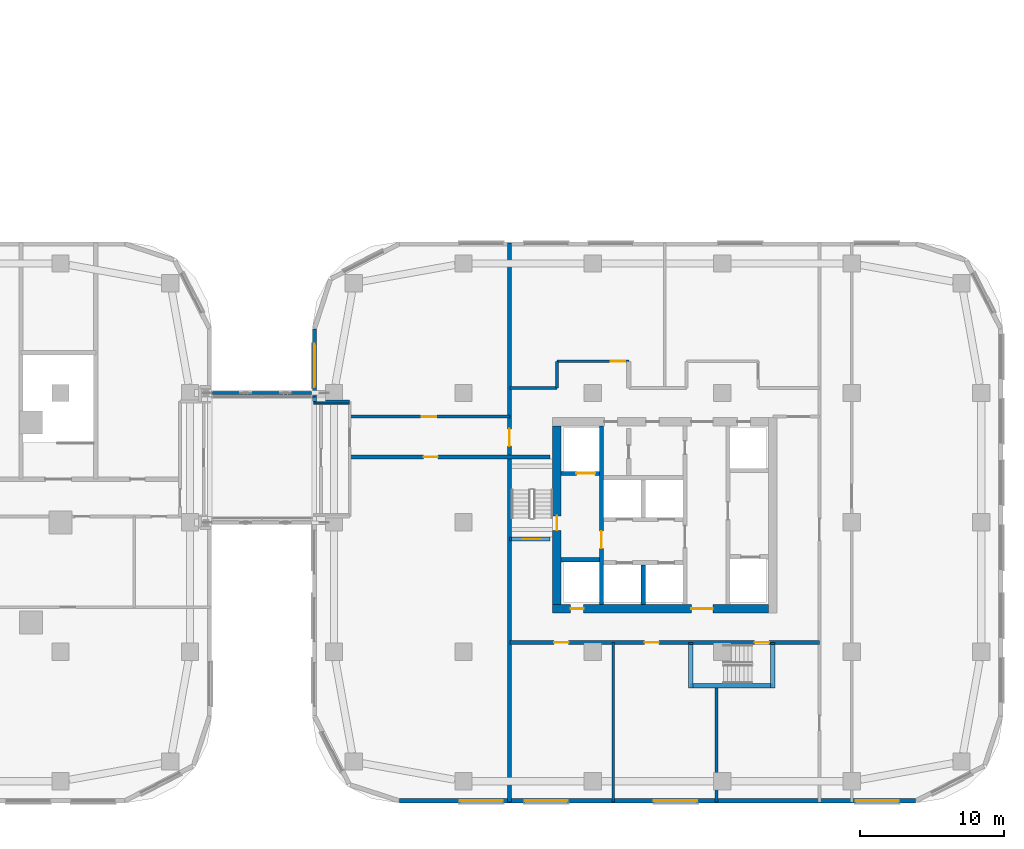
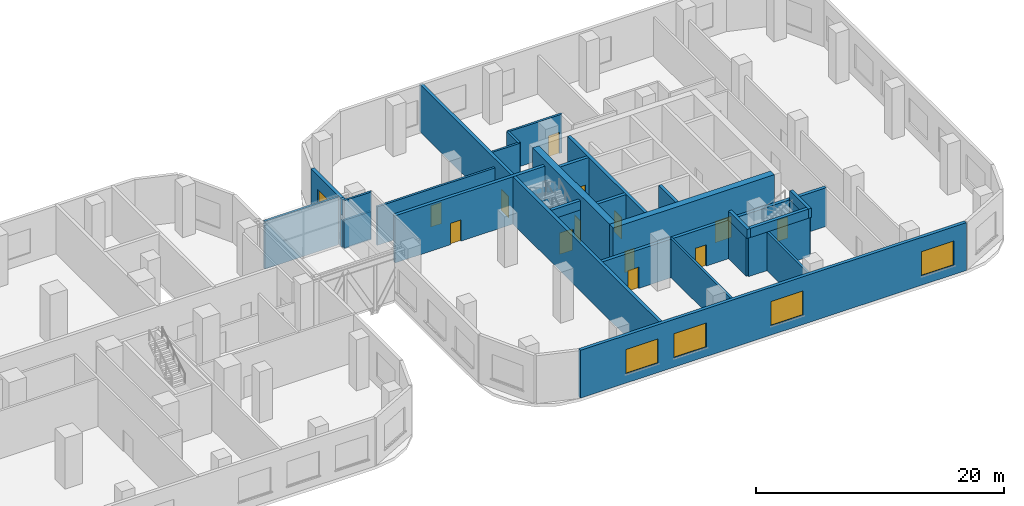
# One storey, part 12 of 33: 30 walls, 13 doors, 5 windows, 18 openings.
"""IFC4 building model written with IfcOpenShell, lengths in metres."""

from ifc_helpers import new_model, si_unit, direction, frame, frame_2d, origin, place, context, subcontext, project, spatial, rectangle, extrude, material, layer, layer_set, type_object, element, fill, save


model = new_model("IFC4")

# Units and contexts
model_context = context("Model", 3, precision=1e-05, world=origin(), true_north=direction((0.0, 1.0)))
body_context = subcontext(model_context, "Body", "Model", "MODEL_VIEW")
ifc_project = project(units=[si_unit("LENGTHUNIT", "METRE"), si_unit("AREAUNIT", "SQUARE_METRE"), si_unit("VOLUMEUNIT", "CUBIC_METRE"), si_unit("PLANEANGLEUNIT", "RADIAN"), si_unit("MASSUNIT", "GRAM", prefix="KILO")], contexts=[model_context])

# Site, building, storey
site_placement = place(None, origin())
site = spatial("IfcSite", under=ifc_project, at=site_placement, CompositionType="ELEMENT")
building_placement = place(site_placement, origin())
building = spatial("IfcBuilding", under=site, at=building_placement, Name="Ogive Portal Towers", CompositionType="ELEMENT")
storey_placement = place(building_placement, frame((0.0, 0.0, 28.5)))
storey = spatial("IfcBuildingStorey", under=building, at=storey_placement, Name="L05", CompositionType="ELEMENT", Elevation=28.5)

# Wall, opening, door
ifc_material_1 = material(Name="Concrete C60/75", Category="concrete")
ifc_layer_1 = layer(ifc_material_1, 0.300048828125)
ifc_layer_set_1 = layer_set([ifc_layer_1], Name="CORE WALL 300 C60")
wall_type_1 = type_object("IfcWallType", Name="CORE WALL 300 C60", PredefinedType="SHEAR", material=ifc_layer_set_1)
wall_1_placement = place(storey_placement, frame((132.10009765625, 24.800048828125, 0.0), z_axis=(0.0, 0.0, 1.0), x_axis=(0.0, 1.0, 0.0)))
wall_1 = element("IfcWall", 1, at=wall_1_placement, inside=storey, type_object=wall_type_1, Name="Tower B core wall BX1 L05", PredefinedType="SHEAR", context=body_context, shape_type="SweptSolid", body=[
    extrude(rectangle(XDim=12.39990234375, YDim=0.300048828125, at=frame_2d((6.199951171875, 0.0))), origin(), (0.0, 0.0, 1.0), 5.0),
])
opening_1_placement = place(wall_1_placement, frame((3.89990234375, 0.0, 0.0)))
opening_1 = element("IfcOpeningElement", 2, at=opening_1_placement, cuts=wall_1, Name="Opening P05-050", PredefinedType="OPENING", context=body_context, shape_type="SweptSolid", body=[
    extrude(rectangle(XDim=1.199951171875, YDim=2.10009765625, at=frame_2d((0.60009765625, 1.050048828125))), frame((0.0, 0.16015625, 0.0), z_axis=(0.0, -1.0, 0.0), x_axis=(1.0, 0.0, 0.0)), (0.0, 0.0, 1.0), 0.320068359375),
])
ifc_material_2 = material(Name="Steel fire door", Category="steel")
door_type_1 = type_object("IfcDoorType", Name="DT-SWING-1200x2100-FD90S", OperationType="SINGLE_SWING_LEFT", PredefinedType="DOOR", material=ifc_material_2)
door_1_placement = place(opening_1_placement, origin())
door_1 = element("IfcDoor", 3, at=door_1_placement, inside=storey, type_object=door_type_1, Name="Door P05-050", OperationType="SINGLE_SWING_LEFT", OverallHeight=2.10009765625, OverallWidth=1.199951171875, PredefinedType="DOOR", context=body_context, shape_type="SweptSolid", body=[
    extrude(rectangle(XDim=1.199951171875, YDim=2.10009765625, at=frame_2d((0.60009765625, 1.050048828125))), frame((0.0, 0.02490234375, 0.0), z_axis=(0.0, -1.0, 0.0), x_axis=(1.0, 0.0, 0.0)), (0.0, 0.0, 1.0), 0.050048828125),
])
fill(opening_1, door_1)

# Walls
wall_2_placement = place(storey_placement, frame((135.0, 24.800048828125, 0.0), z_axis=(0.0, 0.0, 1.0), x_axis=(0.0, 1.0, 0.0)))
element("IfcWall", 4, at=wall_2_placement, inside=storey, type_object=wall_type_1, Name="Tower B core wall BX4 L05", PredefinedType="SHEAR", context=body_context, shape_type="SweptSolid", body=[
    extrude(rectangle(XDim=2.75, YDim=0.300048828125, at=frame_2d((1.375, 0.0))), origin(), (0.0, 0.0, 1.0), 5.0),
])
wall_3_placement = place(storey_placement, frame((129.300048828125, 27.89990234375, 0.0), z_axis=(0.0, 0.0, 1.0), x_axis=(1.0, 0.0, 0.0)))
element("IfcWall", 5, at=wall_3_placement, inside=storey, type_object=wall_type_1, Name="Tower B core wall BY4 L05", PredefinedType="SHEAR", context=body_context, shape_type="SweptSolid", body=[
    extrude(rectangle(XDim=2.64990234375, YDim=0.300048828125, at=frame_2d((1.324951171875, 0.0))), origin(), (0.0, 0.0, 1.0), 5.0),
])

# Wall, opening, door
wall_4_placement = place(storey_placement, frame((129.300048828125, 33.89990234375, 0.0), z_axis=(0.0, 0.0, 1.0), x_axis=(1.0, 0.0, 0.0)))
wall_4 = element("IfcWall", 6, at=wall_4_placement, inside=storey, type_object=wall_type_1, Name="Tower B core wall BY5 L05", PredefinedType="SHEAR", context=body_context, shape_type="SweptSolid", body=[
    extrude(rectangle(XDim=2.64990234375, YDim=0.300048828125, at=frame_2d((1.324951171875, 0.0))), origin(), (0.0, 0.0, 1.0), 5.0),
])
opening_2_placement = place(wall_4_placement, frame((1.050048828125, 0.0, 0.0)))
opening_2 = element("IfcOpeningElement", 7, at=opening_2_placement, cuts=wall_4, Name="Opening P05-061", PredefinedType="OPENING", context=body_context, shape_type="SweptSolid", body=[
    extrude(rectangle(XDim=1.300048828125, YDim=2.39990234375, at=frame_2d((0.64990234375, 1.199951171875))), frame((0.0, 0.16015625, 0.0), z_axis=(0.0, -1.0, 0.0), x_axis=(1.0, 0.0, 0.0)), (0.0, 0.0, 1.0), 0.320068359375),
])
ifc_material_3 = material(Name="Stainless steel", Category="steel")
door_type_2 = type_object("IfcDoorType", Name="DT-LD-1300x2400", OperationType="SLIDING_TO_LEFT", PredefinedType="DOOR", material=ifc_material_3)
door_2_placement = place(opening_2_placement, origin())
door_2 = element("IfcDoor", 8, at=door_2_placement, inside=storey, type_object=door_type_2, Name="Door P05-061", OperationType="SLIDING_TO_LEFT", OverallHeight=2.39990234375, OverallWidth=1.300048828125, PredefinedType="DOOR", context=body_context, shape_type="SweptSolid", body=[
    extrude(rectangle(XDim=1.300048828125, YDim=2.39990234375, at=frame_2d((0.64990234375, 1.199951171875))), frame((0.0, 0.02490234375, 0.0), z_axis=(0.0, -1.0, 0.0), x_axis=(1.0, 0.0, 0.0)), (0.0, 0.0, 1.0), 0.050048828125),
])
fill(opening_2, door_2)

ifc_layer_2 = layer(ifc_material_1, 0.60009765625)
ifc_layer_set_2 = layer_set([ifc_layer_2], Name="CORE WALL 600 C60")
wall_type_2 = type_object("IfcWallType", Name="CORE WALL 600 C60", PredefinedType="SHEAR", material=ifc_layer_set_2)
wall_5_placement = place(storey_placement, frame((129.0, 24.800048828125, 0.0), z_axis=(0.0, 0.0, 1.0), x_axis=(0.0, 1.0, 0.0)))
wall_5 = element("IfcWall", 9, at=wall_5_placement, inside=storey, type_object=wall_type_2, Name="Tower B core wall BW L05", PredefinedType="SHEAR", context=body_context, shape_type="SweptSolid", body=[
    extrude(rectangle(XDim=12.39990234375, YDim=0.60009765625, at=frame_2d((6.199951171875, 0.0))), origin(), (0.0, 0.0, 1.0), 5.0),
])
opening_3_placement = place(wall_5_placement, frame((5.14990234375, 0.0, 0.0)))
opening_3 = element("IfcOpeningElement", 10, at=opening_3_placement, cuts=wall_5, Name="Opening P05-052", PredefinedType="OPENING", context=body_context, shape_type="SweptSolid", body=[
    extrude(rectangle(XDim=1.0, YDim=2.10009765625, at=frame_2d((0.5, 1.050048828125))), frame((0.0, 0.31005859375, 0.0), z_axis=(0.0, -1.0, 0.0), x_axis=(1.0, 0.0, 0.0)), (0.0, 0.0, 1.0), 0.6201171875),
])
door_type_3 = type_object("IfcDoorType", Name="DT-SWING-1000x2100-FD90S", OperationType="SINGLE_SWING_LEFT", PredefinedType="DOOR", material=ifc_material_2)
door_3_placement = place(opening_3_placement, origin())
door_3 = element("IfcDoor", 11, at=door_3_placement, inside=storey, type_object=door_type_3, Name="Door P05-052", OperationType="SINGLE_SWING_RIGHT", OverallHeight=2.10009765625, OverallWidth=1.0, PredefinedType="DOOR", context=body_context, shape_type="SweptSolid", body=[
    extrude(rectangle(XDim=1.0, YDim=2.10009765625, at=frame_2d((0.5, 1.050048828125))), frame((0.0, 0.02490234375, 0.0), z_axis=(0.0, -1.0, 0.0), x_axis=(1.0, 0.0, 0.0)), (0.0, 0.0, 1.0), 0.050048828125),
])
fill(opening_3, door_3)

# Wall, openings, doors
wall_6_placement = place(storey_placement, frame((128.699951171875, 24.5, 0.0), z_axis=(0.0, 0.0, 1.0), x_axis=(1.0, 0.0, 0.0)))
wall_6 = element("IfcWall", 12, at=wall_6_placement, inside=storey, type_object=wall_type_2, Name="Tower B core wall BS L05", PredefinedType="SHEAR", context=body_context, shape_type="SweptSolid", body=[
    extrude(rectangle(XDim=15.0, YDim=0.60009765625, at=frame_2d((7.5, 0.0))), origin(), (0.0, 0.0, 1.0), 5.0),
])
opening_4_placement = place(wall_6_placement, frame((9.64990234375, 0.0, 0.0)))
opening_4 = element("IfcOpeningElement", 13, at=opening_4_placement, cuts=wall_6, Name="Opening P05-053", PredefinedType="OPENING", context=body_context, shape_type="SweptSolid", body=[
    extrude(rectangle(XDim=1.5, YDim=2.10009765625, at=frame_2d((0.75, 1.050048828125))), frame((0.0, 0.31005859375, 0.0), z_axis=(0.0, -1.0, 0.0), x_axis=(1.0, 0.0, 0.0)), (0.0, 0.0, 1.0), 0.6201171875),
])
opening_5_placement = place(wall_6_placement, frame((1.25, 0.0, 0.0)))
opening_5 = element("IfcOpeningElement", 14, at=opening_5_placement, cuts=wall_6, Name="Opening P05-055", PredefinedType="OPENING", context=body_context, shape_type="SweptSolid", body=[
    extrude(rectangle(XDim=0.89990234375, YDim=2.10009765625, at=frame_2d((0.449951171875, 1.050048828125))), frame((0.0, 0.31005859375, 0.0), z_axis=(0.0, -1.0, 0.0), x_axis=(1.0, 0.0, 0.0)), (0.0, 0.0, 1.0), 0.6201171875),
])
door_type_4 = type_object("IfcDoorType", Name="DT-SWING-1500x2100-FD90S", OperationType="SINGLE_SWING_LEFT", PredefinedType="DOOR", material=ifc_material_2)
door_4_placement = place(opening_4_placement, origin())
door_4 = element("IfcDoor", 15, at=door_4_placement, inside=storey, type_object=door_type_4, Name="Door P05-053", OperationType="SINGLE_SWING_LEFT", OverallHeight=2.10009765625, OverallWidth=1.5, PredefinedType="DOOR", context=body_context, shape_type="SweptSolid", body=[
    extrude(rectangle(XDim=1.5, YDim=2.10009765625, at=frame_2d((0.75, 1.050048828125))), frame((0.0, 0.02490234375, 0.0), z_axis=(0.0, -1.0, 0.0), x_axis=(1.0, 0.0, 0.0)), (0.0, 0.0, 1.0), 0.050048828125),
])
fill(opening_4, door_4)
door_type_5 = type_object("IfcDoorType", Name="DT-SWING-900x2100-FD90S", OperationType="SINGLE_SWING_LEFT", PredefinedType="DOOR", material=ifc_material_2)
door_5_placement = place(opening_5_placement, origin())
door_5 = element("IfcDoor", 16, at=door_5_placement, inside=storey, type_object=door_type_5, Name="Riser access door P05-055", OperationType="SINGLE_SWING_LEFT", OverallHeight=2.10009765625, OverallWidth=0.89990234375, PredefinedType="DOOR", context=body_context, shape_type="SweptSolid", body=[
    extrude(rectangle(XDim=0.89990234375, YDim=2.10009765625, at=frame_2d((0.449951171875, 1.050048828125))), frame((0.0, 0.02490234375, 0.0), z_axis=(0.0, -1.0, 0.0), x_axis=(1.0, 0.0, 0.0)), (0.0, 0.0, 1.0), 0.050048828125),
])
fill(opening_5, door_5)

# Wall, openings, windows
ifc_material_4 = material(Name="Limestone cladding on lightweight block wall", Category="masonry")
ifc_layer_3 = layer(ifc_material_4, 0.300048828125)
ifc_layer_set_3 = layer_set([ifc_layer_3], Name="EXTERNAL WALL 300 STONE")
wall_type_3 = type_object("IfcWallType", Name="EXTERNAL WALL 300 STONE", PredefinedType="SOLIDWALL", material=ifc_layer_set_3)
wall_7_placement = place(storey_placement, frame((118.047607421875, 11.14990234375, 0.0), z_axis=(0.0, 0.0, 1.0), x_axis=(1.0, 0.0, 0.0)))
wall_7 = element("IfcWall", 17, at=wall_7_placement, inside=storey, type_object=wall_type_3, Name="B:L05:f02:w0", PredefinedType="SOLIDWALL", context=body_context, shape_type="SweptSolid", body=[
    extrude(rectangle(XDim=35.88037109375, YDim=0.300048828125, at=frame_2d((17.940185546875, 0.0))), origin(), (0.0, 0.0, 1.0), 4.699951171875),
])
opening_6_placement = place(wall_7_placement, frame((4.202392578125, 0.0, 0.89990234375)))
opening_6 = element("IfcOpeningElement", 18, at=opening_6_placement, cuts=wall_7, Name="Opening WN3", PredefinedType="OPENING", context=body_context, shape_type="SweptSolid", body=[
    extrude(rectangle(XDim=3.0, YDim=2.39990234375, at=frame_2d((1.5, 1.199951171875))), frame((0.0, 0.16015625, 0.0), z_axis=(0.0, -1.0, 0.0), x_axis=(1.0, 0.0, 0.0)), (0.0, 0.0, 1.0), 0.320068359375),
])
opening_7_placement = place(wall_7_placement, frame((8.702392578125, 0.0, 0.89990234375)))
opening_7 = element("IfcOpeningElement", 19, at=opening_7_placement, cuts=wall_7, Name="Opening WN3", PredefinedType="OPENING", context=body_context, shape_type="SweptSolid", body=[
    extrude(rectangle(XDim=3.0, YDim=2.39990234375, at=frame_2d((1.5, 1.199951171875))), frame((0.0, 0.16015625, 0.0), z_axis=(0.0, -1.0, 0.0), x_axis=(1.0, 0.0, 0.0)), (0.0, 0.0, 1.0), 0.320068359375),
])
opening_8_placement = place(wall_7_placement, frame((17.702392578125, 0.0, 0.89990234375)))
opening_8 = element("IfcOpeningElement", 20, at=opening_8_placement, cuts=wall_7, Name="Opening WN3", PredefinedType="OPENING", context=body_context, shape_type="SweptSolid", body=[
    extrude(rectangle(XDim=3.0, YDim=2.39990234375, at=frame_2d((1.5, 1.199951171875))), frame((0.0, 0.16015625, 0.0), z_axis=(0.0, -1.0, 0.0), x_axis=(1.0, 0.0, 0.0)), (0.0, 0.0, 1.0), 0.320068359375),
])
opening_9_placement = place(wall_7_placement, frame((31.726318359375, 0.0, 0.89990234375)))
opening_9 = element("IfcOpeningElement", 21, at=opening_9_placement, cuts=wall_7, Name="Opening WN3", PredefinedType="OPENING", context=body_context, shape_type="SweptSolid", body=[
    extrude(rectangle(XDim=3.0, YDim=2.39990234375, at=frame_2d((1.5, 1.199951171875))), frame((0.0, 0.16015625, 0.0), z_axis=(0.0, -1.0, 0.0), x_axis=(1.0, 0.0, 0.0)), (0.0, 0.0, 1.0), 0.320068359375),
])
ifc_material_5 = material(Name="Glass, clear low-iron insulated glazing", Category="glass")
window_type = type_object("IfcWindowType", Name="WINDOW PODIUM 3000x2400", PartitioningType="SINGLE_PANEL", PredefinedType="WINDOW", material=ifc_material_5)
window_1_placement = place(opening_6_placement, origin())
window_1 = element("IfcWindow", 22, at=window_1_placement, inside=storey, type_object=window_type, Name="B:L05:f02:w0:o1a", OverallHeight=2.39990234375, OverallWidth=3.0, PartitioningType="SINGLE_PANEL", PredefinedType="WINDOW", context=body_context, shape_type="SweptSolid", body=[
    extrude(rectangle(XDim=3.0, YDim=2.39990234375, at=frame_2d((1.5, 1.199951171875))), frame((0.0, 0.030029296875, 0.0), z_axis=(0.0, -1.0, 0.0), x_axis=(1.0, 0.0, 0.0)), (0.0, 0.0, 1.0), 0.06005859375),
])
fill(opening_6, window_1)
window_2_placement = place(opening_7_placement, origin())
window_2 = element("IfcWindow", 23, at=window_2_placement, inside=storey, type_object=window_type, Name="B:L05:f02:w0:o1b", OverallHeight=2.39990234375, OverallWidth=3.0, PartitioningType="SINGLE_PANEL", PredefinedType="WINDOW", context=body_context, shape_type="SweptSolid", body=[
    extrude(rectangle(XDim=3.0, YDim=2.39990234375, at=frame_2d((1.5, 1.199951171875))), frame((0.0, 0.030029296875, 0.0), z_axis=(0.0, -1.0, 0.0), x_axis=(1.0, 0.0, 0.0)), (0.0, 0.0, 1.0), 0.06005859375),
])
fill(opening_7, window_2)
window_3_placement = place(opening_8_placement, origin())
window_3 = element("IfcWindow", 24, at=window_3_placement, inside=storey, type_object=window_type, Name="B:L05:f02:w0:o2b", OverallHeight=2.39990234375, OverallWidth=3.0, PartitioningType="SINGLE_PANEL", PredefinedType="WINDOW", context=body_context, shape_type="SweptSolid", body=[
    extrude(rectangle(XDim=3.0, YDim=2.39990234375, at=frame_2d((1.5, 1.199951171875))), frame((0.0, 0.030029296875, 0.0), z_axis=(0.0, -1.0, 0.0), x_axis=(1.0, 0.0, 0.0)), (0.0, 0.0, 1.0), 0.06005859375),
])
fill(opening_8, window_3)
window_4_placement = place(opening_9_placement, origin())
window_4 = element("IfcWindow", 25, at=window_4_placement, inside=storey, type_object=window_type, Name="B:L05:f02:w0:o4", OverallHeight=2.39990234375, OverallWidth=3.0, PartitioningType="SINGLE_PANEL", PredefinedType="WINDOW", context=body_context, shape_type="SweptSolid", body=[
    extrude(rectangle(XDim=3.0, YDim=2.39990234375, at=frame_2d((1.5, 1.199951171875))), frame((0.0, 0.030029296875, 0.0), z_axis=(0.0, -1.0, 0.0), x_axis=(1.0, 0.0, 0.0)), (0.0, 0.0, 1.0), 0.06005859375),
])
fill(opening_9, window_4)

# Wall, opening, window
wall_8_placement = place(storey_placement, frame((112.14990234375, 43.952392578125, 0.0), z_axis=(0.0, 0.0, 1.0), x_axis=(0.0, -1.0, 0.0)))
wall_8 = element("IfcWall", 26, at=wall_8_placement, inside=storey, type_object=wall_type_3, Name="B:L05:f11:w0", PredefinedType="SOLIDWALL", context=body_context, shape_type="SweptSolid", body=[
    extrude(rectangle(XDim=4.75244140625, YDim=0.300048828125, at=frame_2d((2.376220703125, 0.0))), origin(), (0.0, 0.0, 1.0), 4.699951171875),
])
opening_10_placement = place(wall_8_placement, frame((1.050048828125, 0.0, 0.89990234375)))
opening_10 = element("IfcOpeningElement", 27, at=opening_10_placement, cuts=wall_8, Name="Opening WN3", PredefinedType="OPENING", context=body_context, shape_type="SweptSolid", body=[
    extrude(rectangle(XDim=3.0, YDim=2.39990234375, at=frame_2d((1.5, 1.199951171875))), frame((0.0, 0.16015625, 0.0), z_axis=(0.0, -1.0, 0.0), x_axis=(1.0, 0.0, 0.0)), (0.0, 0.0, 1.0), 0.320068359375),
])
window_5_placement = place(opening_10_placement, origin())
window_5 = element("IfcWindow", 28, at=window_5_placement, inside=storey, type_object=window_type, Name="B:L05:f11:w0:o0", OverallHeight=2.39990234375, OverallWidth=3.0, PartitioningType="SINGLE_PANEL", PredefinedType="WINDOW", context=body_context, shape_type="SweptSolid", body=[
    extrude(rectangle(XDim=3.0, YDim=2.39990234375, at=frame_2d((1.5, 1.199951171875))), frame((0.0, 0.030029296875, 0.0), z_axis=(0.0, -1.0, 0.0), x_axis=(1.0, 0.0, 0.0)), (0.0, 0.0, 1.0), 0.06005859375),
])
fill(opening_10, window_5)

# Walls
wall_9_placement = place(storey_placement, frame((112.14990234375, 39.199951171875, 0.0), z_axis=(0.0, 0.0, 1.0), x_axis=(0.0, -1.0, 0.0)))
element("IfcWall", 29, at=wall_9_placement, inside=storey, type_object=wall_type_3, Name="Pier return", PredefinedType="SOLIDWALL", context=body_context, shape_type="SweptSolid", body=[
    extrude(rectangle(XDim=0.300048828125, YDim=0.300048828125, at=frame_2d((0.14990234375, 0.0))), origin(), (0.0, 0.0, 1.0), 2.699951171875),
])
wall_10_placement = place(storey_placement, frame((112.14990234375, 39.199951171875, 3.14990234375), z_axis=(0.0, 0.0, 1.0), x_axis=(0.0, -1.0, 0.0)))
element("IfcWall", 30, at=wall_10_placement, inside=storey, type_object=wall_type_3, Name="Pier return", PredefinedType="SOLIDWALL", context=body_context, shape_type="SweptSolid", body=[
    extrude(rectangle(XDim=0.300048828125, YDim=0.300048828125, at=frame_2d((0.14990234375, 0.0))), origin(), (0.0, 0.0, 1.0), 1.550048828125),
])
ifc_material_6 = material(Name="Concrete C50/60", Category="concrete")
ifc_layer_4 = layer(ifc_material_6, 0.300048828125)
ifc_layer_set_4 = layer_set([ifc_layer_4], Name="STAIR WALL 300 C50")
wall_type_4 = type_object("IfcWallType", Name="STAIR WALL 300 C50", PredefinedType="SHEAR", material=ifc_layer_set_4)
wall_11_placement = place(storey_placement, frame((138.300048828125, 19.14990234375, 0.0), z_axis=(0.0, 0.0, 1.0), x_axis=(1.0, 0.0, 0.0)))
element("IfcWall", 31, at=wall_11_placement, inside=storey, type_object=wall_type_4, Name="Stair wall ST-B2 L05", PredefinedType="SHEAR", context=body_context, shape_type="SweptSolid", body=[
    extrude(rectangle(XDim=5.699951171875, YDim=0.300048828125, at=frame_2d((2.85009765625, 0.0))), origin(), (0.0, 0.0, 1.0), 3.800048828125),
])

# Wall, openings, doors
wall_12_placement = place(storey_placement, frame((125.75, 22.14990234375, 0.0), z_axis=(0.0, 0.0, 1.0), x_axis=(1.0, 0.0, 0.0)))
wall_12 = element("IfcWall", 32, at=wall_12_placement, inside=storey, type_object=wall_type_4, Name="Stair wall ST-B2 L05", PredefinedType="SHEAR", context=body_context, shape_type="SweptSolid", body=[
    extrude(rectangle(XDim=21.5, YDim=0.300048828125, at=frame_2d((10.75, 0.0))), origin(), (0.0, 0.0, 1.0), 3.800048828125),
])
opening_11_placement = place(wall_12_placement, frame((17.0, 0.0, 0.0)))
opening_11 = element("IfcOpeningElement", 33, at=opening_11_placement, cuts=wall_12, Name="Opening P05-034", PredefinedType="OPENING", context=body_context, shape_type="SweptSolid", body=[
    extrude(rectangle(XDim=1.0, YDim=2.10009765625, at=frame_2d((0.5, 1.050048828125))), frame((0.0, 0.16015625, 0.0), z_axis=(0.0, -1.0, 0.0), x_axis=(1.0, 0.0, 0.0)), (0.0, 0.0, 1.0), 0.320068359375),
])
opening_12_placement = place(wall_12_placement, frame((3.06396484375, 0.0, 0.0)))
opening_12 = element("IfcOpeningElement", 34, at=opening_12_placement, cuts=wall_12, Name="Opening P05-042", PredefinedType="OPENING", context=body_context, shape_type="SweptSolid", body=[
    extrude(rectangle(XDim=1.0, YDim=2.10009765625, at=frame_2d((0.5, 1.050048828125))), frame((0.0, 0.16015625, 0.0), z_axis=(0.0, -1.0, 0.0), x_axis=(1.0, 0.0, 0.0)), (0.0, 0.0, 1.0), 0.320068359375),
])
opening_13_placement = place(wall_12_placement, frame((9.347900390625, 0.0, 0.0)))
opening_13 = element("IfcOpeningElement", 35, at=opening_13_placement, cuts=wall_12, Name="Opening P05-043", PredefinedType="OPENING", context=body_context, shape_type="SweptSolid", body=[
    extrude(rectangle(XDim=1.0, YDim=2.10009765625, at=frame_2d((0.5, 1.050048828125))), frame((0.0, 0.16015625, 0.0), z_axis=(0.0, -1.0, 0.0), x_axis=(1.0, 0.0, 0.0)), (0.0, 0.0, 1.0), 0.320068359375),
])
door_6_placement = place(opening_11_placement, origin())
door_6 = element("IfcDoor", 36, at=door_6_placement, inside=storey, type_object=door_type_3, Name="Door P05-034", OperationType="SINGLE_SWING_RIGHT", OverallHeight=2.10009765625, OverallWidth=1.0, PredefinedType="DOOR", context=body_context, shape_type="SweptSolid", body=[
    extrude(rectangle(XDim=1.0, YDim=2.10009765625, at=frame_2d((0.5, 1.050048828125))), frame((0.0, 0.02490234375, 0.0), z_axis=(0.0, -1.0, 0.0), x_axis=(1.0, 0.0, 0.0)), (0.0, 0.0, 1.0), 0.050048828125),
])
fill(opening_11, door_6)
door_7_placement = place(opening_12_placement, origin())
door_7 = element("IfcDoor", 37, at=door_7_placement, inside=storey, type_object=door_type_3, Name="Door P05-042", OperationType="SINGLE_SWING_RIGHT", OverallHeight=2.10009765625, OverallWidth=1.0, PredefinedType="DOOR", context=body_context, shape_type="SweptSolid", body=[
    extrude(rectangle(XDim=1.0, YDim=2.10009765625, at=frame_2d((0.5, 1.050048828125))), frame((0.0, 0.02490234375, 0.0), z_axis=(0.0, -1.0, 0.0), x_axis=(1.0, 0.0, 0.0)), (0.0, 0.0, 1.0), 0.050048828125),
])
fill(opening_12, door_7)
door_8_placement = place(opening_13_placement, origin())
door_8 = element("IfcDoor", 38, at=door_8_placement, inside=storey, type_object=door_type_3, Name="Door P05-043", OperationType="SINGLE_SWING_LEFT", OverallHeight=2.10009765625, OverallWidth=1.0, PredefinedType="DOOR", context=body_context, shape_type="SweptSolid", body=[
    extrude(rectangle(XDim=1.0, YDim=2.10009765625, at=frame_2d((0.5, 1.050048828125))), frame((0.0, 0.02490234375, 0.0), z_axis=(0.0, -1.0, 0.0), x_axis=(1.0, 0.0, 0.0)), (0.0, 0.0, 1.0), 0.050048828125),
])
fill(opening_13, door_8)

# Wall, opening, door
wall_13_placement = place(storey_placement, frame((125.699951171875, 29.35009765625, 0.0), z_axis=(0.0, 0.0, 1.0), x_axis=(1.0, 0.0, 0.0)))
wall_13 = element("IfcWall", 39, at=wall_13_placement, inside=storey, type_object=wall_type_4, Name="Stair wall ST-B1 L05", PredefinedType="SHEAR", context=body_context, shape_type="SweptSolid", body=[
    extrude(rectangle(XDim=2.830078125, YDim=0.300048828125, at=frame_2d((1.4150390625, 0.0))), origin(), (0.0, 0.0, 1.0), 3.800048828125),
])
opening_14_placement = place(wall_13_placement, frame((0.97509765625, 0.0, 0.0)))
opening_14 = element("IfcOpeningElement", 40, at=opening_14_placement, cuts=wall_13, Name="Opening P05-033", PredefinedType="OPENING", context=body_context, shape_type="SweptSolid", body=[
    extrude(rectangle(XDim=1.199951171875, YDim=2.10009765625, at=frame_2d((0.60009765625, 1.050048828125))), frame((0.0, 0.16015625, 0.0), z_axis=(0.0, -1.0, 0.0), x_axis=(1.0, 0.0, 0.0)), (0.0, 0.0, 1.0), 0.320068359375),
])
door_9_placement = place(opening_14_placement, origin())
door_9 = element("IfcDoor", 41, at=door_9_placement, inside=storey, type_object=door_type_1, Name="Door P05-033", OperationType="SINGLE_SWING_LEFT", OverallHeight=2.10009765625, OverallWidth=1.199951171875, PredefinedType="DOOR", context=body_context, shape_type="SweptSolid", body=[
    extrude(rectangle(XDim=1.199951171875, YDim=2.10009765625, at=frame_2d((0.60009765625, 1.050048828125))), frame((0.0, 0.02490234375, 0.0), z_axis=(0.0, -1.0, 0.0), x_axis=(1.0, 0.0, 0.0)), (0.0, 0.0, 1.0), 0.050048828125),
])
fill(opening_14, door_9)

wall_14_placement = place(storey_placement, frame((114.60009765625, 35.050048828125, 0.0), z_axis=(0.0, 0.0, 1.0), x_axis=(1.0, 0.0, 0.0)))
wall_14 = element("IfcWall", 42, at=wall_14_placement, inside=storey, type_object=wall_type_4, Name="Stair wall ST-B1 L05", PredefinedType="SHEAR", context=body_context, shape_type="SweptSolid", body=[
    extrude(rectangle(XDim=13.929931640625, YDim=0.300048828125, at=frame_2d((6.96484375, 0.0))), origin(), (0.0, 0.0, 1.0), 4.64990234375),
])
opening_15_placement = place(wall_14_placement, frame((5.1298828125, 0.0, 0.0)))
opening_15 = element("IfcOpeningElement", 43, at=opening_15_placement, cuts=wall_14, Name="Opening P05-039", PredefinedType="OPENING", context=body_context, shape_type="SweptSolid", body=[
    extrude(rectangle(XDim=1.0, YDim=2.10009765625, at=frame_2d((0.5, 1.050048828125))), frame((0.0, 0.16015625, 0.0), z_axis=(0.0, -1.0, 0.0), x_axis=(1.0, 0.0, 0.0)), (0.0, 0.0, 1.0), 0.320068359375),
])
door_10_placement = place(opening_15_placement, origin())
door_10 = element("IfcDoor", 44, at=door_10_placement, inside=storey, type_object=door_type_3, Name="Door P05-039", OperationType="SINGLE_SWING_LEFT", OverallHeight=2.10009765625, OverallWidth=1.0, PredefinedType="DOOR", context=body_context, shape_type="SweptSolid", body=[
    extrude(rectangle(XDim=1.0, YDim=2.10009765625, at=frame_2d((0.5, 1.050048828125))), frame((0.0, 0.02490234375, 0.0), z_axis=(0.0, -1.0, 0.0), x_axis=(1.0, 0.0, 0.0)), (0.0, 0.0, 1.0), 0.050048828125),
])
fill(opening_15, door_10)

wall_15_placement = place(storey_placement, frame((125.699951171875, 11.070068359375, 0.0), z_axis=(0.0, 0.0, 1.0), x_axis=(0.0, 1.0, 0.0)))
wall_15 = element("IfcWall", 45, at=wall_15_placement, inside=storey, type_object=wall_type_4, Name="Stair wall ST-B1 L05", PredefinedType="SHEAR", context=body_context, shape_type="SweptSolid", body=[
    extrude(rectangle(XDim=38.85986328125, YDim=0.300048828125, at=frame_2d((19.429931640625, 0.0))), origin(), (0.0, 0.0, 1.0), 4.64990234375),
])
opening_16_placement = place(wall_15_placement, frame((24.72998046875, 0.0, 0.0)))
opening_16 = element("IfcOpeningElement", 46, at=opening_16_placement, cuts=wall_15, Name="Opening P05-037", PredefinedType="OPENING", context=body_context, shape_type="SweptSolid", body=[
    extrude(rectangle(XDim=1.199951171875, YDim=2.10009765625, at=frame_2d((0.60009765625, 1.050048828125))), frame((0.0, 0.16015625, 0.0), z_axis=(0.0, -1.0, 0.0), x_axis=(1.0, 0.0, 0.0)), (0.0, 0.0, 1.0), 0.320068359375),
])
door_11_placement = place(opening_16_placement, origin())
door_11 = element("IfcDoor", 47, at=door_11_placement, inside=storey, type_object=door_type_1, Name="Door P05-037", OperationType="SINGLE_SWING_LEFT", OverallHeight=2.10009765625, OverallWidth=1.199951171875, PredefinedType="DOOR", context=body_context, shape_type="SweptSolid", body=[
    extrude(rectangle(XDim=1.199951171875, YDim=2.10009765625, at=frame_2d((0.60009765625, 1.050048828125))), frame((0.0, 0.02490234375, 0.0), z_axis=(0.0, -1.0, 0.0), x_axis=(1.0, 0.0, 0.0)), (0.0, 0.0, 1.0), 0.050048828125),
])
fill(opening_16, door_11)

# Walls
for number, where, z_axis, x_axis, name in (
    (48, (138.300048828125, 19.14990234375, 0.0), (0.0, 0.0, 1.0), (0.0, 1.0, 0.0), "Stair wall ST-B2 L05"),
    (49, (144.0, 19.14990234375, 0.0), (0.0, 0.0, 1.0), (0.0, 1.0, 0.0), "Stair wall ST-B2 L05"),
):
    element("IfcWall", number, at=place(storey_placement, frame(where, z_axis=z_axis, x_axis=x_axis)), inside=storey, type_object=wall_type_4, Name=name, PredefinedType="SHEAR", context=body_context, shape_type="SweptSolid", body=[
        extrude(rectangle(XDim=3.0, YDim=0.300048828125, at=frame_2d((1.5, 0.0))), origin(), (0.0, 0.0, 1.0), 3.800048828125),
    ])
wall_16_placement = place(storey_placement, frame((125.85009765625, 29.35009765625, 3.800048828125), z_axis=(0.0, 0.0, 1.0), x_axis=(1.0, 0.0, 0.0)))
element("IfcWall", 50, at=wall_16_placement, inside=storey, type_object=wall_type_4, Name="Stair wall support ST-B1 L05", PredefinedType="SHEAR", context=body_context, shape_type="SweptSolid", body=[
    extrude(rectangle(XDim=2.679931640625, YDim=0.300048828125, at=frame_2d((1.33984375, 0.0))), origin(), (0.0, 0.0, 1.0), 0.89990234375),
])
for number, where, z_axis, x_axis, name in (
    (51, (138.300048828125, 19.0, 3.800048828125), (0.0, 0.0, 1.0), (0.0, 1.0, 0.0), "Stair wall support ST-B2 L05"),
    (52, (144.0, 19.0, 3.800048828125), (0.0, 0.0, 1.0), (0.0, 1.0, 0.0), "Stair wall support ST-B2 L05"),
):
    element("IfcWall", number, at=place(storey_placement, frame(where, z_axis=z_axis, x_axis=x_axis)), inside=storey, type_object=wall_type_4, Name=name, PredefinedType="SHEAR", context=body_context, shape_type="SweptSolid", body=[
        extrude(rectangle(XDim=3.0, YDim=0.300048828125, at=frame_2d((1.5, 0.0))), origin(), (0.0, 0.0, 1.0), 0.89990234375),
    ])
wall_17_placement = place(storey_placement, frame((138.449951171875, 19.14990234375, 3.800048828125), z_axis=(0.0, 0.0, 1.0), x_axis=(1.0, 0.0, 0.0)))
element("IfcWall", 53, at=wall_17_placement, inside=storey, type_object=wall_type_4, Name="Stair wall support ST-B2 L05", PredefinedType="SHEAR", context=body_context, shape_type="SweptSolid", body=[
    extrude(rectangle(XDim=5.400146484375, YDim=0.300048828125, at=frame_2d((2.7001953125, 0.0))), origin(), (0.0, 0.0, 1.0), 0.89990234375),
])

# Wall, opening, door
ifc_material_7 = material(Name="Gypsum board partition on steel studs", Category="steel")
ifc_layer_5 = layer(ifc_material_7, 0.199951171875)
ifc_layer_set_5 = layer_set([ifc_layer_5], Name="WT-PART-200-EI 60")
wall_type_5 = type_object("IfcWallType", Name="WT-PART-200-EI 60", PredefinedType="PARTITIONING", material=ifc_layer_set_5)
wall_18_placement = place(storey_placement, frame((114.60009765625, 37.85009765625, 0.0), z_axis=(0.0, 0.0, 1.0), x_axis=(1.0, 0.0, 0.0)))
wall_18 = element("IfcWall", 54, at=wall_18_placement, inside=storey, type_object=wall_type_5, Name="Wall L05:w022", PredefinedType="PARTITIONING", context=body_context, shape_type="SweptSolid", body=[
    extrude(rectangle(XDim=11.14990234375, YDim=0.199951171875, at=frame_2d((5.574951171875, 0.0))), origin(), (0.0, 0.0, 1.0), 3.800048828125),
])
opening_17_placement = place(wall_18_placement, frame((5.0048828125, 0.0, 0.0)))
opening_17 = element("IfcOpeningElement", 55, at=opening_17_placement, cuts=wall_18, Name="Opening P05-040", PredefinedType="OPENING", context=body_context, shape_type="SweptSolid", body=[
    extrude(rectangle(XDim=1.0, YDim=2.10009765625, at=frame_2d((0.5, 1.050048828125))), frame((0.0, 0.10986328125, 0.0), z_axis=(0.0, -1.0, 0.0), x_axis=(1.0, 0.0, 0.0)), (0.0, 0.0, 1.0), 0.219970703125),
])
door_type_6 = type_object("IfcDoorType", Name="DT-SWING-1000x2100-FD60S", OperationType="SINGLE_SWING_LEFT", PredefinedType="DOOR", material=ifc_material_2)
door_12_placement = place(opening_17_placement, origin())
door_12 = element("IfcDoor", 56, at=door_12_placement, inside=storey, type_object=door_type_6, Name="Door P05-040", OperationType="SINGLE_SWING_RIGHT", OverallHeight=2.10009765625, OverallWidth=1.0, PredefinedType="DOOR", context=body_context, shape_type="SweptSolid", body=[
    extrude(rectangle(XDim=1.0, YDim=2.10009765625, at=frame_2d((0.5, 1.050048828125))), frame((0.0, 0.02490234375, 0.0), z_axis=(0.0, -1.0, 0.0), x_axis=(1.0, 0.0, 0.0)), (0.0, 0.0, 1.0), 0.050048828125),
])
fill(opening_17, door_12)

# Walls
wall_19_placement = place(storey_placement, frame((112.070068359375, 38.800048828125, 0.0), z_axis=(0.0, 0.0, 1.0), x_axis=(1.0, 0.0, 0.0)))
element("IfcWall", 57, at=wall_19_placement, inside=storey, type_object=wall_type_5, Name="Wall L05:w025", PredefinedType="PARTITIONING", context=body_context, shape_type="SweptSolid", body=[
    extrude(rectangle(XDim=2.530029296875, YDim=0.199951171875, at=frame_2d((1.26513671875, 0.0))), origin(), (0.0, 0.0, 1.0), 4.699951171875),
])
wall_20_placement = place(storey_placement, frame((112.10009765625, 38.89990234375, 0.0), z_axis=(0.0, 0.0, 1.0), x_axis=(1.0, 0.0, 0.0)))
element("IfcWall", 58, at=wall_20_placement, inside=storey, type_object=wall_type_5, Name="Wall L05:w027", PredefinedType="PARTITIONING", context=body_context, shape_type="SweptSolid", body=[
    extrude(rectangle(XDim=2.5, YDim=0.199951171875, at=frame_2d((1.25, 0.0))), origin(), (0.0, 0.0, 1.0), 2.699951171875),
])
wall_21_placement = place(storey_placement, frame((105.070068359375, 39.5, 0.0), z_axis=(0.0, 0.0, 1.0), x_axis=(1.0, 0.0, 0.0)))
element("IfcWall", 59, at=wall_21_placement, inside=storey, type_object=wall_type_5, Name="Wall L05:w028", PredefinedType="PARTITIONING", context=body_context, shape_type="SweptSolid", body=[
    extrude(rectangle(XDim=6.85986328125, YDim=0.199951171875, at=frame_2d((3.429931640625, 0.0))), origin(), (0.0, 0.0, 1.0), 4.699951171875),
])
wall_22_placement = place(storey_placement, frame((125.75, 39.85009765625, 0.0), z_axis=(0.0, 0.0, 1.0), x_axis=(1.0, 0.0, 0.0)))
element("IfcWall", 60, at=wall_22_placement, inside=storey, type_object=wall_type_5, Name="Wall L05:w031", PredefinedType="PARTITIONING", context=body_context, shape_type="SweptSolid", body=[
    extrude(rectangle(XDim=3.25, YDim=0.199951171875, at=frame_2d((1.625, 0.0))), origin(), (0.0, 0.0, 1.0), 3.800048828125),
])

# Wall, opening, door
wall_23_placement = place(storey_placement, frame((129.0, 41.699951171875, 0.0), z_axis=(0.0, 0.0, 1.0), x_axis=(1.0, 0.0, 0.0)))
wall_23 = element("IfcWall", 61, at=wall_23_placement, inside=storey, type_object=wall_type_5, Name="Wall L05:w035", PredefinedType="PARTITIONING", context=body_context, shape_type="SweptSolid", body=[
    extrude(rectangle(XDim=5.0, YDim=0.199951171875, at=frame_2d((2.5, 0.0))), origin(), (0.0, 0.0, 1.0), 3.800048828125),
])
opening_18_placement = place(wall_23_placement, frame((3.75, 0.0, 0.0)))
opening_18 = element("IfcOpeningElement", 62, at=opening_18_placement, cuts=wall_23, Name="Opening P05-045", PredefinedType="OPENING", context=body_context, shape_type="SweptSolid", body=[
    extrude(rectangle(XDim=1.0, YDim=2.10009765625, at=frame_2d((0.5, 1.050048828125))), frame((0.0, 0.10986328125, 0.0), z_axis=(0.0, -1.0, 0.0), x_axis=(1.0, 0.0, 0.0)), (0.0, 0.0, 1.0), 0.219970703125),
])
door_13_placement = place(opening_18_placement, origin())
door_13 = element("IfcDoor", 63, at=door_13_placement, inside=storey, type_object=door_type_6, Name="Door P05-045", OperationType="SINGLE_SWING_LEFT", OverallHeight=2.10009765625, OverallWidth=1.0, PredefinedType="DOOR", context=body_context, shape_type="SweptSolid", body=[
    extrude(rectangle(XDim=1.0, YDim=2.10009765625, at=frame_2d((0.5, 1.050048828125))), frame((0.0, 0.02490234375, 0.0), z_axis=(0.0, -1.0, 0.0), x_axis=(1.0, 0.0, 0.0)), (0.0, 0.0, 1.0), 0.050048828125),
])
fill(opening_18, door_13)

# Walls
wall_24_placement = place(storey_placement, frame((129.0, 39.85009765625, 0.0), z_axis=(0.0, 0.0, 1.0), x_axis=(0.0, 1.0, 0.0)))
element("IfcWall", 64, at=wall_24_placement, inside=storey, type_object=wall_type_5, Name="Wall L05:w063", PredefinedType="PARTITIONING", context=body_context, shape_type="SweptSolid", body=[
    extrude(rectangle(XDim=1.849853515625, YDim=0.199951171875, at=frame_2d((0.9248046875, 0.0))), origin(), (0.0, 0.0, 1.0), 3.800048828125),
])
wall_25_placement = place(storey_placement, frame((132.9169921875, 11.070068359375, 0.0), z_axis=(0.0, 0.0, 1.0), x_axis=(0.0, 1.0, 0.0)))
element("IfcWall", 65, at=wall_25_placement, inside=storey, type_object=wall_type_5, Name="Wall L05:w064", PredefinedType="PARTITIONING", context=body_context, shape_type="SweptSolid", body=[
    extrude(rectangle(XDim=11.079833984375, YDim=0.199951171875, at=frame_2d((5.5400390625, 0.0))), origin(), (0.0, 0.0, 1.0), 3.800048828125),
])
wall_26_placement = place(storey_placement, frame((140.0830078125, 11.070068359375, 0.0), z_axis=(0.0, 0.0, 1.0), x_axis=(0.0, 1.0, 0.0)))
element("IfcWall", 66, at=wall_26_placement, inside=storey, type_object=wall_type_5, Name="Wall L05:w070", PredefinedType="PARTITIONING", context=body_context, shape_type="SweptSolid", body=[
    extrude(rectangle(XDim=8.079833984375, YDim=0.199951171875, at=frame_2d((4.0400390625, 0.0))), origin(), (0.0, 0.0, 1.0), 3.800048828125),
])

save(model, "model.ifc")
